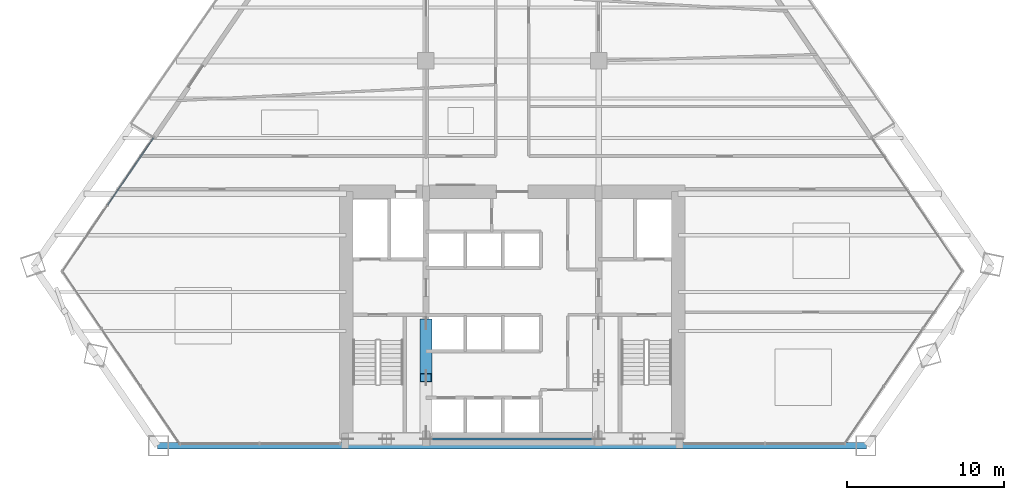
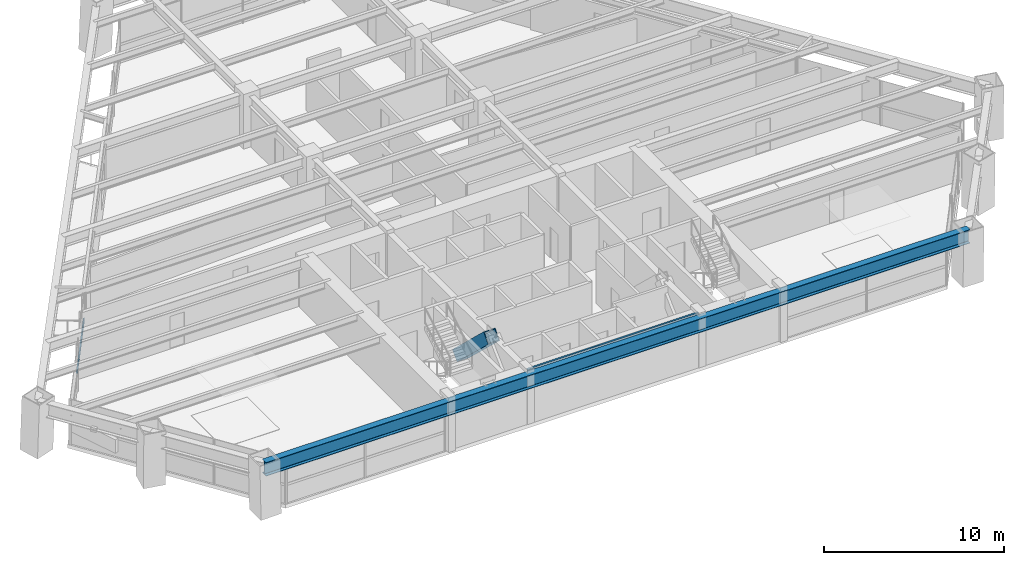
# One storey, part 3 of 14: 2 beams, 2 members, 1 element without a shape of its own.
"""IFC4 building model written with IfcOpenShell, lengths in metres."""

from ifc_helpers import new_model, si_unit, direction, frame, origin, origin_2d, place, context, subcontext, project, spatial, rectangle, hollow_rectangle, i_section, extrude, source, transform, mapped, material, material_profile, profile_set, type_object, type_shapes, element, aggregate, save


model = new_model("IFC4")

# Units and contexts
model_context = context("Model", 3, precision=1e-05, world=origin(), true_north=direction((0.0, 1.0)))
body_context = subcontext(model_context, "Body", "Model", "MODEL_VIEW")
ifc_project = project(units=[si_unit("LENGTHUNIT", "METRE"), si_unit("AREAUNIT", "SQUARE_METRE"), si_unit("VOLUMEUNIT", "CUBIC_METRE"), si_unit("PLANEANGLEUNIT", "RADIAN"), si_unit("MASSUNIT", "GRAM", prefix="KILO")], contexts=[model_context])

# Site, building, storey
site_placement = place(None, origin())
site = spatial("IfcSite", under=ifc_project, at=site_placement, CompositionType="ELEMENT")
building_placement = place(site_placement, origin())
building = spatial("IfcBuilding", under=site, at=building_placement, Name="Varnakhor Terracotta Tower", CompositionType="ELEMENT")
storey_placement = place(building_placement, frame((0.0, 0.0, 31.199951171875)))
storey = spatial("IfcBuildingStorey", under=building, at=storey_placement, Name="L06", CompositionType="ELEMENT", Elevation=31.199951171875)

# Beam
ifc_material_1 = material(Name="Steel S355", Category="steel")
ifc_material_profile_1 = material_profile(ifc_material_1, i_section(OverallWidth=0.1201171875, OverallDepth=0.239990234375, WebThickness=0.006103515625, FlangeThickness=0.009765625, FilletRadius=0.01806640625, at=origin_2d()), Name="IPE240")
ifc_profile_set_1 = profile_set([ifc_material_profile_1], Name="Steel S355")
beam_type_1 = type_object("IfcBeamType", Name="LNT-IPE240", PredefinedType="LINTEL", material=ifc_profile_set_1)
shared_shape_1 = source(origin(), body_context, "Body", "SweptSolid", [
    extrude(i_section(OverallWidth=0.1201171875, OverallDepth=0.239990234375, WebThickness=0.006103515625, FlangeThickness=0.009765625, FilletRadius=0.01806640625, at=origin_2d()), origin(), (0.0, 0.0, 1.0), 11.0),
])
type_shapes(beam_type_1, [shared_shape_1])
beam_1_placement = place(storey_placement, frame((-5.5, 0.419921875, 3.330078125), z_axis=(1.0, 0.0, 0.0), x_axis=(0.0, 1.0, 0.0)))
element("IfcBeam", 1, at=beam_1_placement, inside=storey, type_object=beam_type_1, Name="L06 Core South Coupling Lintel", PredefinedType="LINTEL", context=body_context, shape_type="MappedRepresentation", body=[
    mapped(shared_shape_1, transform((0.0, 0.0, 0.0), scale=1.0)),
])

# Member
ifc_material_2 = material(Name="Steel S460", Category="steel")
ifc_material_profile_2 = material_profile(ifc_material_2, hollow_rectangle(XDim=0.75, YDim=0.75, WallThickness=0.044921875, at=origin_2d()), Name="HSS750X750X45")
ifc_profile_set_2 = profile_set([ifc_material_profile_2], Name="Steel S460")
member_type_1 = type_object("IfcMemberType", Name="MBR-MEGA-750", PredefinedType="BRACE", material=ifc_profile_set_2)
shared_shape_2 = source(origin(), body_context, "Body", "SweptSolid", [
    extrude(hollow_rectangle(XDim=0.75, YDim=0.75, WallThickness=0.044921875, at=origin_2d()), origin(), (0.0, 0.0, 1.0), 4.792236328125),
])
member_1_placement = place(storey_placement, frame((-5.5, 7.800048828125, 0.0), z_axis=(0.0, -0.72513424341, 0.688607529028), x_axis=(1.0, 0.0, 0.0)))
element("IfcMember", 2, at=member_1_placement, inside=storey, type_object=member_type_1, Name="L06 Core Coupled Brace CWWB", PredefinedType="BRACE", context=body_context, shape_type="MappedRepresentation", body=[
    mapped(shared_shape_2, transform((0.0, 0.0, 0.0), scale=1.0)),
])

# Beam
ifc_material_profile_3 = material_profile(ifc_material_1, i_section(OverallWidth=0.41796875, OverallDepth=0.927001953125, WebThickness=0.01904296875, FlangeThickness=0.031982421875, FilletRadius=0.01806640625, at=origin_2d()), Name="W36X231")
ifc_profile_set_3 = profile_set([ifc_material_profile_3], Name="Steel S355")
beam_type_2 = type_object("IfcBeamType", Name="BM-W36X231", PredefinedType="BEAM", material=ifc_profile_set_3)
shared_shape_3 = source(origin(), body_context, "Body", "SweptSolid", [
    extrude(i_section(OverallWidth=0.41796875, OverallDepth=0.927001953125, WebThickness=0.01904296875, FlangeThickness=0.031982421875, FilletRadius=0.01806640625, at=origin_2d()), origin(), (0.0, 0.0, 1.0), 45.161376953125),
])
beam_2_placement = place(storey_placement, frame((-22.590576171875, 0.0, 2.986572265625), z_axis=(1.0, 0.0, 0.0), x_axis=(0.0, 1.0, 0.0)))
element("IfcBeam", 3, at=beam_2_placement, inside=storey, type_object=beam_type_2, Name="L06 Perimeter Spandrel 1", PredefinedType="BEAM", context=body_context, shape_type="MappedRepresentation", body=[
    mapped(shared_shape_3, transform((0.0, 0.0, 0.0), scale=1.0)),
])

# Curtain wall, member
ifc_material_3 = material(Name="Anodised Aluminium Curtain Wall System", Category="aluminium")
curtain_wall_type = type_object("IfcCurtainWallType", Name="CW-SYS-LOW-OFFICE", PredefinedType="NOTDEFINED", material=ifc_material_3)
curtain_wall_placement = place(storey_placement, origin())
curtain_wall = element("IfcCurtainWall", 4, at=curtain_wall_placement, inside=storey, type_object=curtain_wall_type, Name="L06 W Facet Curtain Wall 1", PredefinedType="NOTDEFINED")
ifc_material_4 = material(Name="Anodised Aluminium 6063-T6", Category="aluminium")
ifc_material_profile_4 = material_profile(ifc_material_4, rectangle(XDim=0.074951171875, YDim=0.1650390625, at=origin_2d()), Name="ALU TRANSOM 75x165")
ifc_profile_set_4 = profile_set([ifc_material_profile_4], Name="Anodised Aluminium 6063-T6")
member_type_2 = type_object("IfcMemberType", Name="CWT-02", PredefinedType="USERDEFINED", material=ifc_profile_set_4)
shared_shape_4 = source(origin(), body_context, "Body", "SweptSolid", [
    extrude(rectangle(XDim=0.074951171875, YDim=0.1650390625, at=origin_2d()), origin(), (0.0, 0.0, 1.0), 5.164794921875),
])
member_2_placement = place(storey_placement, frame((-25.7607421875, 15.3310546875, 1.272705078125), z_axis=(0.563515760585, 0.82610531264, 0.0), x_axis=(-0.82610531264, 0.563515760585, 0.0)))
member_2 = element("IfcMember", 5, at=member_2_placement, type_object=member_type_2, Name="L06 W Facet Curtain Wall 1 Transom 2", ObjectType="TRANSOM", PredefinedType="USERDEFINED", context=body_context, shape_type="MappedRepresentation", body=[
    mapped(shared_shape_4, transform((0.0, 0.0, 0.0), scale=1.0)),
])
aggregate(curtain_wall, [member_2])

save(model, "model.ifc")
